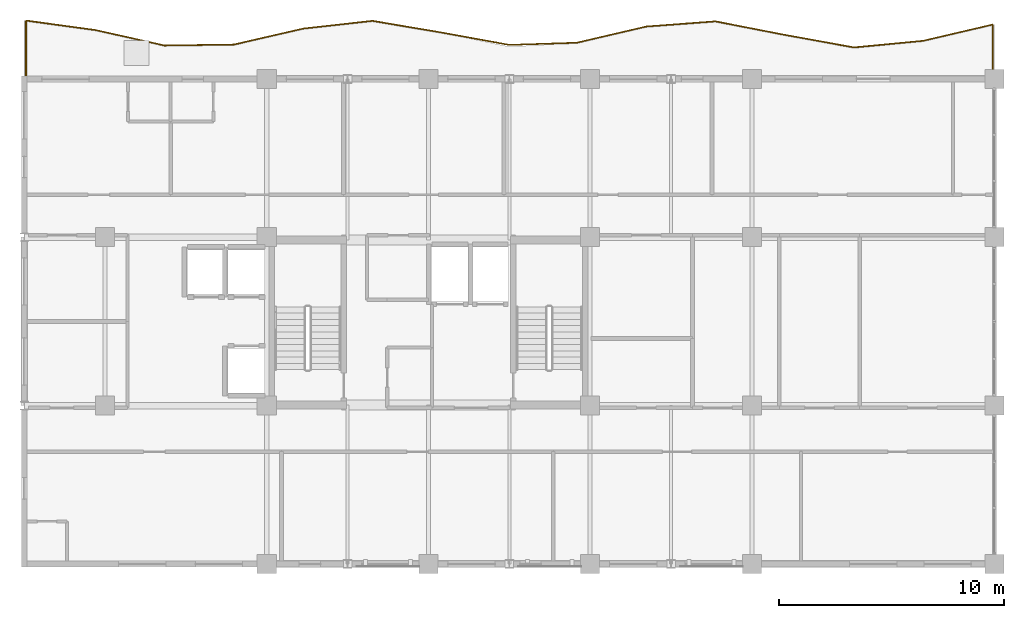
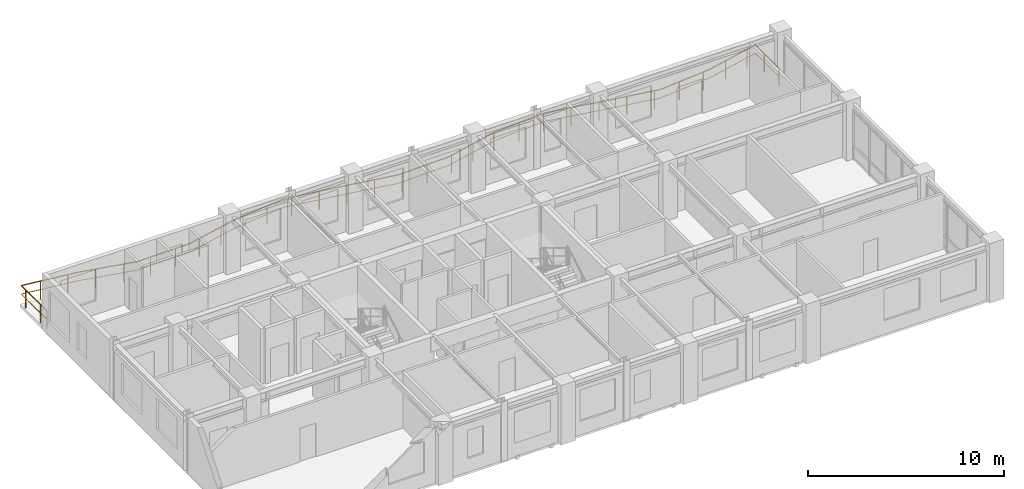
# One storey, part 11 of 11: 1 railing.
"""IFC4 building model written with IfcOpenShell, lengths in metres."""

from ifc_helpers import new_model, si_unit, direction, frame, origin, origin_2d, place, context, subcontext, project, spatial, rectangle, extrude, material, type_object, element, save


model = new_model("IFC4")

# Units and contexts
model_context = context("Model", 3, precision=1e-05, world=origin(), true_north=direction((0.0, 1.0)))
body_context = subcontext(model_context, "Body", "Model", "MODEL_VIEW")
ifc_project = project(units=[si_unit("LENGTHUNIT", "METRE"), si_unit("AREAUNIT", "SQUARE_METRE"), si_unit("VOLUMEUNIT", "CUBIC_METRE"), si_unit("PLANEANGLEUNIT", "RADIAN"), si_unit("MASSUNIT", "GRAM", prefix="KILO")], contexts=[model_context])

# Site, building, storey
site_placement = place(None, origin())
site = spatial("IfcSite", under=ifc_project, at=site_placement, CompositionType="ELEMENT")
building_placement = place(site_placement, origin())
building = spatial("IfcBuilding", under=site, at=building_placement, Name="Kaliganga Portal Commons", CompositionType="ELEMENT")
storey_placement = place(building_placement, frame((0.0, 0.0, 264.699951171875)))
storey = spatial("IfcBuildingStorey", under=building, at=storey_placement, Name="L68", CompositionType="ELEMENT", Elevation=264.699951171875)

# Railing
ifc_material = material(Name="Laminated Safety Glass and Stainless Steel 316", Category="steel")
railing_type = type_object("IfcRailingType", Name="RLG-BAL-1150", PredefinedType="BALUSTRADE", material=ifc_material)
railing_placement = place(storey_placement, frame((46.72021484375, 43.20654296875, 0.0)))
element("IfcRailing", 1, at=railing_placement, inside=storey, type_object=railing_type, Name="Balcony Guardrail L68 balc_north", PredefinedType="BALUSTRADE", context=body_context, shape_type="SweptSolid", body=[
    extrude(rectangle(XDim=0.048095703125, YDim=0.048095703125, at=origin_2d()), frame((0.0, 0.0, 1.1259765625), z_axis=(-0.00010119409, 0.99999999488, 0.0), x_axis=(-0.99999999488, -0.00010119409, 0.0)), (0.0, 0.0, 1.0), 2.41259765625),
    extrude(rectangle(XDim=0.028076171875, YDim=0.028076171875, at=origin_2d()), frame((0.0, 0.0, 0.597900390625), z_axis=(-0.00010119409, 0.99999999488, 0.0), x_axis=(-0.99999999488, -0.00010119409, 0.0)), (0.0, 0.0, 1.0), 2.41259765625),
    extrude(rectangle(XDim=0.048095703125, YDim=0.048095703125, at=origin_2d()), frame((-0.000244140625, 2.41259765625, 1.1259765625), z_axis=(-0.973586620421, -0.228317963678, 0.0), x_axis=(0.228317963678, -0.973586620421, 0.0)), (0.0, 0.0, 1.0), 3.16943359375),
    extrude(rectangle(XDim=0.028076171875, YDim=0.028076171875, at=origin_2d()), frame((-0.000244140625, 2.41259765625, 0.597900390625), z_axis=(-0.973586620421, -0.228317963678, 0.0), x_axis=(0.228317963678, -0.973586620421, 0.0)), (0.0, 0.0, 1.0), 3.16943359375),
    extrude(rectangle(XDim=0.048095703125, YDim=0.048095703125, at=origin_2d()), frame((-3.0859375, 1.68896484375, 1.1259765625), z_axis=(-0.995441151966, -0.095377738352, 0.0), x_axis=(0.095377738352, -0.995441151966, 0.0)), (0.0, 0.0, 1.0), 3.099853515625),
    extrude(rectangle(XDim=0.028076171875, YDim=0.028076171875, at=origin_2d()), frame((-3.0859375, 1.68896484375, 0.597900390625), z_axis=(-0.995441151966, -0.095377738352, 0.0), x_axis=(0.095377738352, -0.995441151966, 0.0)), (0.0, 0.0, 1.0), 3.099853515625),
    extrude(rectangle(XDim=0.048095703125, YDim=0.048095703125, at=origin_2d()), frame((-6.171630859375, 1.393310546875, 1.1259765625), z_axis=(-0.983938345407, 0.178508634071, 0.0), x_axis=(-0.178508634071, -0.983938345407, 0.0)), (0.0, 0.0, 1.0), 3.135986328125),
    extrude(rectangle(XDim=0.028076171875, YDim=0.028076171875, at=origin_2d()), frame((-6.171630859375, 1.393310546875, 0.597900390625), z_axis=(-0.983938345407, 0.178508634071, 0.0), x_axis=(-0.178508634071, -0.983938345407, 0.0)), (0.0, 0.0, 1.0), 3.135986328125),
    extrude(rectangle(XDim=0.048095703125, YDim=0.048095703125, at=origin_2d()), frame((-9.25732421875, 1.953125, 1.1259765625), z_axis=(-0.981548229845, 0.191214728745, 0.0), x_axis=(-0.191214728745, -0.981548229845, 0.0)), (0.0, 0.0, 1.0), 3.1435546875),
    extrude(rectangle(XDim=0.028076171875, YDim=0.028076171875, at=origin_2d()), frame((-9.25732421875, 1.953125, 0.597900390625), z_axis=(-0.981548229845, 0.191214728745, 0.0), x_axis=(-0.191214728745, -0.981548229845, 0.0)), (0.0, 0.0, 1.0), 3.1435546875),
    extrude(rectangle(XDim=0.048095703125, YDim=0.048095703125, at=origin_2d()), frame((-12.3427734375, 2.55419921875, 1.1259765625), z_axis=(-0.997228216015, -0.07440352937, 0.0), x_axis=(0.07440352937, -0.997228216015, 0.0)), (0.0, 0.0, 1.0), 3.09423828125),
    extrude(rectangle(XDim=0.028076171875, YDim=0.028076171875, at=origin_2d()), frame((-12.3427734375, 2.55419921875, 0.597900390625), z_axis=(-0.997228216015, -0.07440352937, 0.0), x_axis=(0.07440352937, -0.997228216015, 0.0)), (0.0, 0.0, 1.0), 3.09423828125),
    extrude(rectangle(XDim=0.048095703125, YDim=0.048095703125, at=origin_2d()), frame((-15.428466796875, 2.323974609375, 1.1259765625), z_axis=(-0.973744521391, -0.227643596575, 0.0), x_axis=(0.227643596575, -0.973744521391, 0.0)), (0.0, 0.0, 1.0), 3.169189453125),
    extrude(rectangle(XDim=0.028076171875, YDim=0.028076171875, at=origin_2d()), frame((-15.428466796875, 2.323974609375, 0.597900390625), z_axis=(-0.973744521391, -0.227643596575, 0.0), x_axis=(0.227643596575, -0.973744521391, 0.0)), (0.0, 0.0, 1.0), 3.169189453125),
    extrude(rectangle(XDim=0.048095703125, YDim=0.048095703125, at=origin_2d()), frame((-18.514404296875, 1.6025390625, 1.1259765625), z_axis=(-0.999480536184, -0.03222821417, 0.0), x_axis=(0.03222821417, -0.999480536184, 0.0)), (0.0, 0.0, 1.0), 3.00732421875),
    extrude(rectangle(XDim=0.028076171875, YDim=0.028076171875, at=origin_2d()), frame((-18.514404296875, 1.6025390625, 0.597900390625), z_axis=(-0.999480536184, -0.03222821417, 0.0), x_axis=(0.03222821417, -0.999480536184, 0.0)), (0.0, 0.0, 1.0), 3.00732421875),
    extrude(rectangle(XDim=0.048095703125, YDim=0.048095703125, at=origin_2d()), frame((-21.520263671875, 1.505615234375, 1.1259765625), z_axis=(-0.983668610771, 0.179989066845, 0.0), x_axis=(-0.179989066845, -0.983668610771, 0.0)), (0.0, 0.0, 1.0), 3.055908203125),
    extrude(rectangle(XDim=0.028076171875, YDim=0.028076171875, at=origin_2d()), frame((-21.520263671875, 1.505615234375, 0.597900390625), z_axis=(-0.983668610771, 0.179989066845, 0.0), x_axis=(-0.179989066845, -0.983668610771, 0.0)), (0.0, 0.0, 1.0), 3.055908203125),
    extrude(rectangle(XDim=0.048095703125, YDim=0.048095703125, at=origin_2d()), frame((-24.5263671875, 2.0556640625, 1.1259765625), z_axis=(-0.986071567883, 0.166321565089, 0.0), x_axis=(-0.166321565089, -0.986071567883, 0.0)), (0.0, 0.0, 1.0), 3.129638671875),
    extrude(rectangle(XDim=0.028076171875, YDim=0.028076171875, at=origin_2d()), frame((-24.5263671875, 2.0556640625, 0.597900390625), z_axis=(-0.986071567883, 0.166321565089, 0.0), x_axis=(-0.166321565089, -0.986071567883, 0.0)), (0.0, 0.0, 1.0), 3.129638671875),
    extrude(rectangle(XDim=0.048095703125, YDim=0.048095703125, at=origin_2d()), frame((-27.6123046875, 2.576171875, 1.1259765625), z_axis=(-0.993841462155, -0.110811317573, 0.0), x_axis=(0.110811317573, -0.993841462155, 0.0)), (0.0, 0.0, 1.0), 3.104248046875),
    extrude(rectangle(XDim=0.028076171875, YDim=0.028076171875, at=origin_2d()), frame((-27.6123046875, 2.576171875, 0.597900390625), z_axis=(-0.993841462155, -0.110811317573, 0.0), x_axis=(0.110811317573, -0.993841462155, 0.0)), (0.0, 0.0, 1.0), 3.104248046875),
    extrude(rectangle(XDim=0.048095703125, YDim=0.048095703125, at=origin_2d()), frame((-30.697509765625, 2.232177734375, 1.1259765625), z_axis=(-0.974520984007, -0.224296348008, 0.0), x_axis=(0.224296348008, -0.974520984007, 0.0)), (0.0, 0.0, 1.0), 3.166259765625),
    extrude(rectangle(XDim=0.028076171875, YDim=0.028076171875, at=origin_2d()), frame((-30.697509765625, 2.232177734375, 0.597900390625), z_axis=(-0.974520984007, -0.224296348008, 0.0), x_axis=(0.224296348008, -0.974520984007, 0.0)), (0.0, 0.0, 1.0), 3.166259765625),
    extrude(rectangle(XDim=0.048095703125, YDim=0.048095703125, at=origin_2d()), frame((-33.783203125, 1.52197265625, 1.1259765625), z_axis=(-0.999904157478, -0.013844705084, 0.0), x_axis=(0.013844705084, -0.999904157478, 0.0)), (0.0, 0.0, 1.0), 3.0859375),
    extrude(rectangle(XDim=0.028076171875, YDim=0.028076171875, at=origin_2d()), frame((-33.783203125, 1.52197265625, 0.597900390625), z_axis=(-0.999904157478, -0.013844705084, 0.0), x_axis=(0.013844705084, -0.999904157478, 0.0)), (0.0, 0.0, 1.0), 3.0859375),
    extrude(rectangle(XDim=0.048095703125, YDim=0.048095703125, at=origin_2d()), frame((-36.868896484375, 1.479248046875, 1.1259765625), z_axis=(-0.975968537551, 0.217911481365, 0.0), x_axis=(-0.217911481365, -0.975968537551, 0.0)), (0.0, 0.0, 1.0), 3.16162109375),
    extrude(rectangle(XDim=0.028076171875, YDim=0.028076171875, at=origin_2d()), frame((-36.868896484375, 1.479248046875, 0.597900390625), z_axis=(-0.975968537551, 0.217911481365, 0.0), x_axis=(-0.217911481365, -0.975968537551, 0.0)), (0.0, 0.0, 1.0), 3.16162109375),
    extrude(rectangle(XDim=0.048095703125, YDim=0.048095703125, at=origin_2d()), frame((-39.95458984375, 2.168212890625, 1.1259765625), z_axis=(-0.990782882157, 0.135459515814, 0.0), x_axis=(-0.135459515814, -0.990782882157, 0.0)), (0.0, 0.0, 1.0), 3.114501953125),
    extrude(rectangle(XDim=0.028076171875, YDim=0.028076171875, at=origin_2d()), frame((-39.95458984375, 2.168212890625, 0.597900390625), z_axis=(-0.990782882157, 0.135459515814, 0.0), x_axis=(-0.135459515814, -0.990782882157, 0.0)), (0.0, 0.0, 1.0), 3.114501953125),
    extrude(rectangle(XDim=0.048095703125, YDim=0.048095703125, at=origin_2d()), frame((-43.040283203125, 2.590087890625, 1.1259765625), z_axis=(-9.425959e-05, -0.999999995558, 0.0), x_axis=(0.999999995558, -9.425959e-05, 0.0)), (0.0, 0.0, 1.0), 2.590087890625),
    extrude(rectangle(XDim=0.028076171875, YDim=0.028076171875, at=origin_2d()), frame((-43.040283203125, 2.590087890625, 0.597900390625), z_axis=(-9.425959e-05, -0.999999995558, 0.0), x_axis=(0.999999995558, -9.425959e-05, 0.0)), (0.0, 0.0, 1.0), 2.590087890625),
    extrude(rectangle(XDim=0.0419921875, YDim=0.0419921875, at=origin_2d()), origin(), (0.0, 0.0, 1.0), 1.101806640625),
    extrude(rectangle(XDim=0.0419921875, YDim=0.0419921875, at=origin_2d()), frame((-0.000244140625, 1.5, 0.0)), (0.0, 0.0, 1.0), 1.101806640625),
    extrude(rectangle(XDim=0.0419921875, YDim=0.0419921875, at=origin_2d()), frame((-0.572021484375, 2.278564453125, 0.0)), (0.0, 0.0, 1.0), 1.101806640625),
    extrude(rectangle(XDim=0.0419921875, YDim=0.0419921875, at=origin_2d()), frame((-2.032470703125, 1.93603515625, 0.0)), (0.0, 0.0, 1.0), 1.101806640625),
    extrude(rectangle(XDim=0.0419921875, YDim=0.0419921875, at=origin_2d()), frame((-3.501953125, 1.649169921875, 0.0)), (0.0, 0.0, 1.0), 1.101806640625),
    extrude(rectangle(XDim=0.0419921875, YDim=0.0419921875, at=origin_2d()), frame((-4.9951171875, 1.506103515625, 0.0)), (0.0, 0.0, 1.0), 1.101806640625),
    extrude(rectangle(XDim=0.0419921875, YDim=0.0419921875, at=origin_2d()), frame((-6.484619140625, 1.4501953125, 0.0)), (0.0, 0.0, 1.0), 1.101806640625),
    extrude(rectangle(XDim=0.0419921875, YDim=0.0419921875, at=origin_2d()), frame((-7.960693359375, 1.7177734375, 0.0)), (0.0, 0.0, 1.0), 1.101806640625),
    extrude(rectangle(XDim=0.0419921875, YDim=0.0419921875, at=origin_2d()), frame((-9.43603515625, 1.988037109375, 0.0)), (0.0, 0.0, 1.0), 1.101806640625),
    extrude(rectangle(XDim=0.0419921875, YDim=0.0419921875, at=origin_2d()), frame((-10.908447265625, 2.274658203125, 0.0)), (0.0, 0.0, 1.0), 1.101806640625),
    extrude(rectangle(XDim=0.0419921875, YDim=0.0419921875, at=origin_2d()), frame((-12.38134765625, 2.55126953125, 0.0)), (0.0, 0.0, 1.0), 1.101806640625),
    extrude(rectangle(XDim=0.0419921875, YDim=0.0419921875, at=origin_2d()), frame((-13.877197265625, 2.439697265625, 0.0)), (0.0, 0.0, 1.0), 1.101806640625),
    extrude(rectangle(XDim=0.0419921875, YDim=0.0419921875, at=origin_2d()), frame((-15.428466796875, 2.323974609375, 0.0)), (0.0, 0.0, 1.0), 1.101806640625),
    extrude(rectangle(XDim=0.0419921875, YDim=0.0419921875, at=origin_2d()), frame((-16.8349609375, 1.9951171875, 0.0)), (0.0, 0.0, 1.0), 1.101806640625),
    extrude(rectangle(XDim=0.0419921875, YDim=0.0419921875, at=origin_2d()), frame((-18.295654296875, 1.65380859375, 0.0)), (0.0, 0.0, 1.0), 1.101806640625),
    extrude(rectangle(XDim=0.0419921875, YDim=0.0419921875, at=origin_2d()), frame((-19.7890625, 1.5615234375, 0.0)), (0.0, 0.0, 1.0), 1.101806640625),
    extrude(rectangle(XDim=0.0419921875, YDim=0.0419921875, at=origin_2d()), frame((-21.2880859375, 1.51318359375, 0.0)), (0.0, 0.0, 1.0), 1.101806640625),
    extrude(rectangle(XDim=0.0419921875, YDim=0.0419921875, at=origin_2d()), frame((-22.767333984375, 1.73388671875, 0.0)), (0.0, 0.0, 1.0), 1.101806640625),
    extrude(rectangle(XDim=0.0419921875, YDim=0.0419921875, at=origin_2d()), frame((-24.242919921875, 2.00390625, 0.0)), (0.0, 0.0, 1.0), 1.101806640625),
    extrude(rectangle(XDim=0.0419921875, YDim=0.0419921875, at=origin_2d()), frame((-25.72119140625, 2.25732421875, 0.0)), (0.0, 0.0, 1.0), 1.101806640625),
    extrude(rectangle(XDim=0.0419921875, YDim=0.0419921875, at=origin_2d()), frame((-27.200439453125, 2.506591796875, 0.0)), (0.0, 0.0, 1.0), 1.101806640625),
    extrude(rectangle(XDim=0.0419921875, YDim=0.0419921875, at=origin_2d()), frame((-28.68798828125, 2.456298828125, 0.0)), (0.0, 0.0, 1.0), 1.101806640625),
    extrude(rectangle(XDim=0.0419921875, YDim=0.0419921875, at=origin_2d()), frame((-30.1787109375, 2.2900390625, 0.0)), (0.0, 0.0, 1.0), 1.101806640625),
    extrude(rectangle(XDim=0.0419921875, YDim=0.0419921875, at=origin_2d()), frame((-31.650634765625, 2.012939453125, 0.0)), (0.0, 0.0, 1.0), 1.101806640625),
    extrude(rectangle(XDim=0.0419921875, YDim=0.0419921875, at=origin_2d()), frame((-33.1123046875, 1.67626953125, 0.0)), (0.0, 0.0, 1.0), 1.101806640625),
    extrude(rectangle(XDim=0.0419921875, YDim=0.0419921875, at=origin_2d()), frame((-34.5947265625, 1.5107421875, 0.0)), (0.0, 0.0, 1.0), 1.101806640625),
    extrude(rectangle(XDim=0.0419921875, YDim=0.0419921875, at=origin_2d()), frame((-36.094482421875, 1.489990234375, 0.0)), (0.0, 0.0, 1.0), 1.101806640625),
    extrude(rectangle(XDim=0.0419921875, YDim=0.0419921875, at=origin_2d()), frame((-37.5771484375, 1.637451171875, 0.0)), (0.0, 0.0, 1.0), 1.101806640625),
    extrude(rectangle(XDim=0.0419921875, YDim=0.0419921875, at=origin_2d()), frame((-39.041015625, 1.964111328125, 0.0)), (0.0, 0.0, 1.0), 1.101806640625),
    extrude(rectangle(XDim=0.0419921875, YDim=0.0419921875, at=origin_2d()), frame((-40.513427734375, 2.24462890625, 0.0)), (0.0, 0.0, 1.0), 1.101806640625),
    extrude(rectangle(XDim=0.0419921875, YDim=0.0419921875, at=origin_2d()), frame((-41.99951171875, 2.44775390625, 0.0)), (0.0, 0.0, 1.0), 1.101806640625),
    extrude(rectangle(XDim=0.0419921875, YDim=0.0419921875, at=origin_2d()), frame((-43.040283203125, 2.140625, 0.0)), (0.0, 0.0, 1.0), 1.101806640625),
    extrude(rectangle(XDim=0.0419921875, YDim=0.0419921875, at=origin_2d()), frame((-43.04052734375, 0.640625, 0.0)), (0.0, 0.0, 1.0), 1.101806640625),
    extrude(rectangle(XDim=0.0419921875, YDim=0.0419921875, at=origin_2d()), frame((-43.04052734375, 0.0, 0.0)), (0.0, 0.0, 1.0), 1.101806640625),
])

save(model, "model.ifc")
